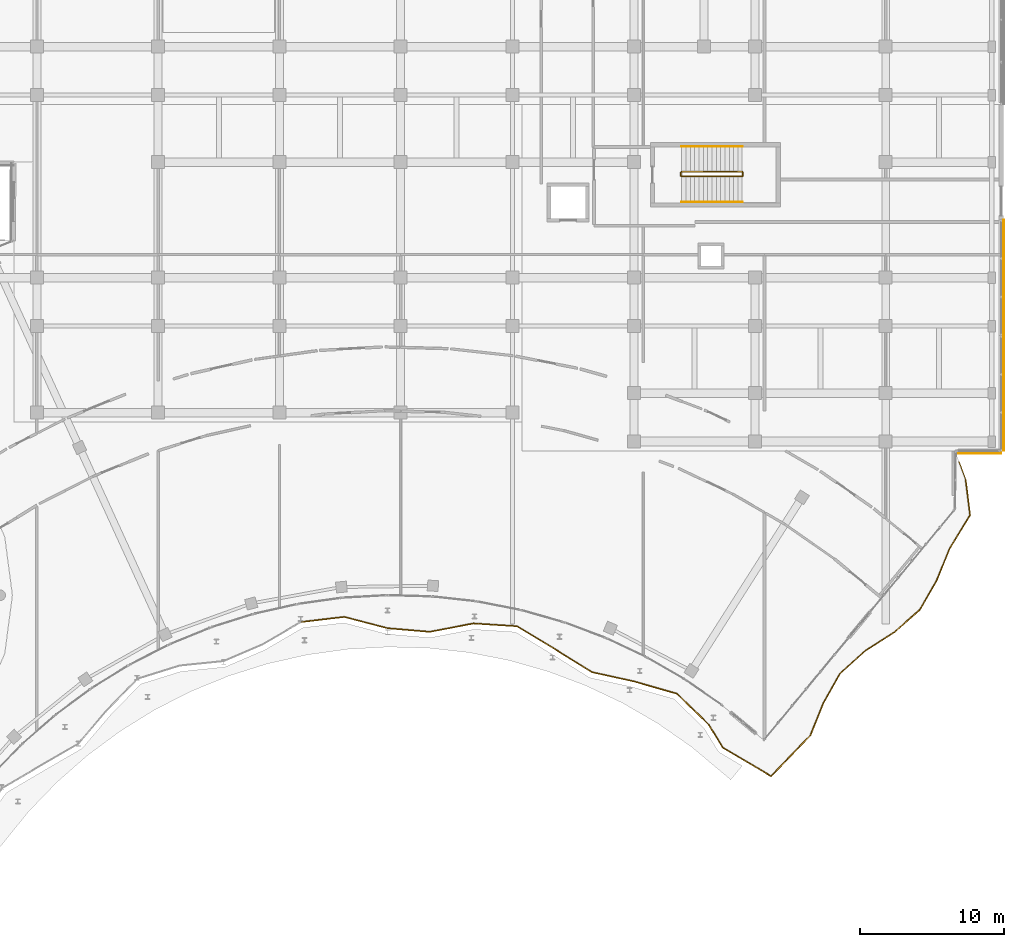
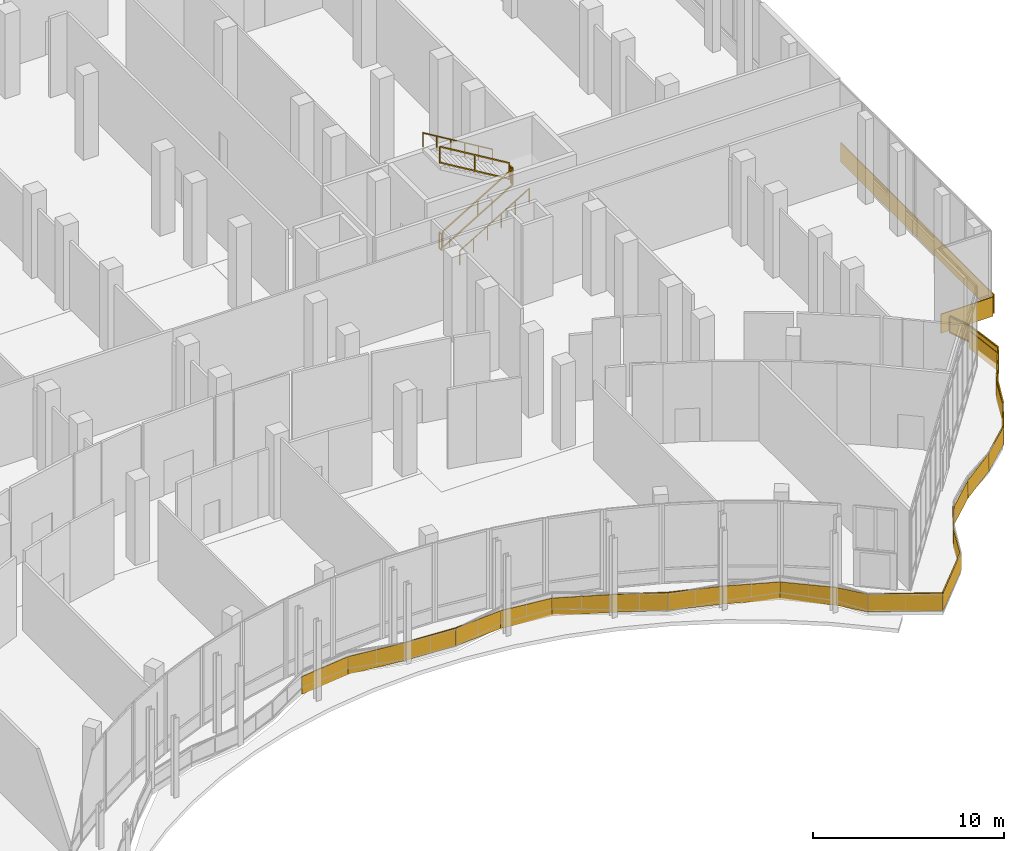
# One storey, part 157 of 158: 25 coverings, 7 railings.
"""IFC4 building model written with IfcOpenShell, lengths in metres."""

from ifc_helpers import new_model, si_unit, direction, frame, origin, origin_2d, place, context, subcontext, project, spatial, polyline, rectangle, circle, outline, extrude, material, layer, layer_set, type_object, element, save


model = new_model("IFC4")

# Units and contexts
model_context = context("Model", 3, precision=1e-05, world=origin(), true_north=direction((0.0, 1.0)))
body_context = subcontext(model_context, "Body", "Model", "MODEL_VIEW")
ifc_project = project(units=[si_unit("LENGTHUNIT", "METRE"), si_unit("AREAUNIT", "SQUARE_METRE"), si_unit("VOLUMEUNIT", "CUBIC_METRE"), si_unit("PLANEANGLEUNIT", "RADIAN"), si_unit("MASSUNIT", "GRAM", prefix="KILO")], contexts=[model_context])

# Site, building, storey
site_placement = place(None, origin())
site = spatial("IfcSite", under=ifc_project, at=site_placement, CompositionType="ELEMENT")
building_placement = place(site_placement, origin())
building = spatial("IfcBuilding", under=site, at=building_placement, Name="Selatvlak General Hospital", CompositionType="ELEMENT")
storey_placement = place(building_placement, origin())
storey = spatial("IfcBuildingStorey", under=building, at=storey_placement, Name="L00", CompositionType="ELEMENT", Elevation=0.0)

# Coverings
ifc_material_1 = material(Name="PVDF aluminium fascia - oxide red", Category="aluminium")
ifc_layer_1 = layer(ifc_material_1, 0.070068359375, Name="PVDF aluminium fascia - oxide red", Category="aluminium")
ifc_layer_set_1 = layer_set([ifc_layer_1], Name="PVDF aluminium fascia - oxide red")
covering_type_1 = type_object("IfcCoveringType", Name="COV-RB-RED", PredefinedType="CLADDING", material=ifc_layer_set_1)
covering_1_placement = place(storey_placement, frame((133.508056640625, 52.14892578125, -0.3701171875), z_axis=(0.0, 0.0, 1.0), x_axis=(0.993153930867, 0.116812968476, 0.0)))
element("IfcCovering", 1, at=covering_1_placement, inside=storey, type_object=covering_type_1, Name="L00 De Stijl waving fascia streamer 061", PredefinedType="CLADDING", context=body_context, shape_type="SweptSolid", body=[
    extrude(outline(polyline([(0.0, 0.0), (3.00537109375, 0.022216796875), (3.00537109375, 1.162109375), (0.0, 1.139892578125), (0.0, 0.0)])), frame((0.0, 0.03515625, 0.0), z_axis=(0.0, -1.0, 0.0), x_axis=(1.0, 0.0, 0.0)), (0.0, 0.0, 1.0), 0.070068359375),
])
covering_2_placement = place(storey_placement, frame((136.493896484375, 52.5, -0.347900390625), z_axis=(0.0, 0.0, 1.0), x_axis=(0.967561338308, -0.252636213974, 0.0)))
element("IfcCovering", 2, at=covering_2_placement, inside=storey, type_object=covering_type_1, Name="L00 De Stijl waving fascia streamer 062", PredefinedType="CLADDING", context=body_context, shape_type="SweptSolid", body=[
    extrude(outline(polyline([(0.0, 0.0), (3.10693359375, 0.31689453125), (3.10693359375, 1.456787109375), (0.0, 1.139892578125), (0.0, 0.0)])), frame((0.0, 0.03515625, 0.0), z_axis=(0.0, -1.0, 0.0), x_axis=(1.0, 0.0, 0.0)), (0.0, 0.0, 1.0), 0.070068359375),
])
covering_3_placement = place(storey_placement, frame((139.5009765625, 51.715087890625, -0.031005859375), z_axis=(0.0, 0.0, 1.0), x_axis=(0.996386576445, -0.084934034874, 0.0)))
element("IfcCovering", 3, at=covering_3_placement, inside=storey, type_object=covering_type_1, Name="L00 De Stijl waving fascia streamer 063", PredefinedType="CLADDING", context=body_context, shape_type="SweptSolid", body=[
    extrude(outline(polyline([(0.0, 0.0), (2.92041015625, 0.055908203125), (2.92041015625, 1.19580078125), (0.0, 1.139892578125), (0.0, 0.0)])), frame((0.0, 0.03515625, 0.0), z_axis=(0.0, -1.0, 0.0), x_axis=(1.0, 0.0, 0.0)), (0.0, 0.0, 1.0), 0.070068359375),
])
covering_4_placement = place(storey_placement, frame((142.4130859375, 51.467041015625, 0.02490234375), z_axis=(0.0, 0.0, 1.0), x_axis=(0.982105086336, 0.188333744701, 0.0)))
element("IfcCovering", 4, at=covering_4_placement, inside=storey, type_object=covering_type_1, Name="L00 De Stijl waving fascia streamer 064", PredefinedType="CLADDING", context=body_context, shape_type="SweptSolid", body=[
    extrude(outline(polyline([(0.0, 0.0), (3.085205078125, -0.303955078125), (3.085205078125, 0.8359375), (0.0, 1.139892578125), (0.0, 0.0)])), frame((0.0, 0.03515625, 0.0), z_axis=(0.0, -1.0, 0.0), x_axis=(1.0, 0.0, 0.0)), (0.0, 0.0, 1.0), 0.070068359375),
])
covering_5_placement = place(storey_placement, frame((145.444091796875, 52.048095703125, -0.279052734375), z_axis=(0.0, 0.0, 1.0), x_axis=(0.997939502412, -0.064161900883, 0.0)))
element("IfcCovering", 5, at=covering_5_placement, inside=storey, type_object=covering_type_1, Name="L00 De Stijl waving fascia streamer 065", PredefinedType="CLADDING", context=body_context, shape_type="SweptSolid", body=[
    extrude(outline(polyline([(0.0, 0.0), (3.025146484375, -0.1298828125), (3.025146484375, 1.010009765625), (0.0, 1.139892578125), (0.0, 0.0)])), frame((0.0, 0.03515625, 0.0), z_axis=(0.0, -1.0, 0.0), x_axis=(1.0, 0.0, 0.0)), (0.0, 0.0, 1.0), 0.070068359375),
])
covering_6_placement = place(storey_placement, frame((148.464111328125, 51.85302734375, -0.408935546875), z_axis=(0.0, 0.0, 1.0), x_axis=(0.855793822718, -0.517317052684, 0.0)))
element("IfcCovering", 6, at=covering_6_placement, inside=storey, type_object=covering_type_1, Name="L00 De Stijl waving fascia streamer 066", PredefinedType="CLADDING", context=body_context, shape_type="SweptSolid", body=[
    extrude(outline(polyline([(0.0, 0.0), (3.08935546875, 0.27197265625), (3.08935546875, 1.411865234375), (0.0, 1.139892578125), (0.0, 0.0)])), frame((0.0, 0.03515625, 0.0), z_axis=(0.0, -1.0, 0.0), x_axis=(1.0, 0.0, 0.0)), (0.0, 0.0, 1.0), 0.070068359375),
])
covering_7_placement = place(storey_placement, frame((151.10888671875, 50.2548828125, -0.136962890625), z_axis=(0.0, 0.0, 1.0), x_axis=(0.848030508634, -0.529947409113, 0.0)))
element("IfcCovering", 7, at=covering_7_placement, inside=storey, type_object=covering_type_1, Name="L00 De Stijl waving fascia streamer 067", PredefinedType="CLADDING", context=body_context, shape_type="SweptSolid", body=[
    extrude(outline(polyline([(0.0, 0.0), (2.981201171875, 0.197021484375), (2.981201171875, 1.3369140625), (0.0, 1.139892578125), (0.0, 0.0)])), frame((0.0, 0.03515625, 0.0), z_axis=(0.0, -1.0, 0.0), x_axis=(1.0, 0.0, 0.0)), (0.0, 0.0, 1.0), 0.070068359375),
])
covering_8_placement = place(storey_placement, frame((153.637939453125, 48.675048828125, 0.06005859375), z_axis=(0.0, 0.0, 1.0), x_axis=(0.976624688109, -0.214951665674, 0.0)))
element("IfcCovering", 8, at=covering_8_placement, inside=storey, type_object=covering_type_1, Name="L00 De Stijl waving fascia streamer 068", PredefinedType="CLADDING", context=body_context, shape_type="SweptSolid", body=[
    extrude(outline(polyline([(0.0, 0.0), (3.00537109375, -0.22509765625), (3.00537109375, 0.914794921875), (0.0, 1.139892578125), (0.0, 0.0)])), frame((0.0, 0.03515625, 0.0), z_axis=(0.0, -1.0, 0.0), x_axis=(1.0, 0.0, 0.0)), (0.0, 0.0, 1.0), 0.070068359375),
])
covering_9_placement = place(storey_placement, frame((156.574951171875, 48.028076171875, -0.1650390625), z_axis=(0.0, 0.0, 1.0), x_axis=(0.961338275984, -0.275370149305, 0.0)))
element("IfcCovering", 9, at=covering_9_placement, inside=storey, type_object=covering_type_1, Name="L00 De Stijl waving fascia streamer 069", PredefinedType="CLADDING", context=body_context, shape_type="SweptSolid", body=[
    extrude(outline(polyline([(0.0, 0.0), (3.080078125, -0.2509765625), (3.080078125, 0.888916015625), (0.0, 1.139892578125), (0.0, 0.0)])), frame((0.0, 0.03515625, 0.0), z_axis=(0.0, -1.0, 0.0), x_axis=(1.0, 0.0, 0.0)), (0.0, 0.0, 1.0), 0.070068359375),
])
covering_10_placement = place(storey_placement, frame((159.537109375, 47.178955078125, -0.416015625), z_axis=(0.0, 0.0, 1.0), x_axis=(0.718457644015, -0.695570710824, 0.0)))
element("IfcCovering", 10, at=covering_10_placement, inside=storey, type_object=covering_type_1, Name="L00 De Stijl waving fascia streamer 070", PredefinedType="CLADDING", context=body_context, shape_type="SweptSolid", body=[
    extrude(outline(polyline([(0.0, 0.0), (3.05078125, 0.1630859375), (3.05078125, 1.302978515625), (0.0, 1.139892578125), (0.0, 0.0)])), frame((0.0, 0.03515625, 0.0), z_axis=(0.0, -1.0, 0.0), x_axis=(1.0, 0.0, 0.0)), (0.0, 0.0, 1.0), 0.070068359375),
])
covering_11_placement = place(storey_placement, frame((161.72900390625, 45.056884765625, -0.2529296875), z_axis=(0.0, 0.0, 1.0), x_axis=(0.521497352411, -0.853252900041, 0.0)))
element("IfcCovering", 11, at=covering_11_placement, inside=storey, type_object=covering_type_1, Name="L00 De Stijl waving fascia streamer 071", PredefinedType="CLADDING", context=body_context, shape_type="SweptSolid", body=[
    extrude(outline(polyline([(0.0, 0.0), (1.877197265625, 0.200927734375), (1.877197265625, 1.3408203125), (0.0, 1.139892578125), (0.0, 0.0)])), frame((0.0, 0.03515625, 0.0), z_axis=(0.0, -1.0, 0.0), x_axis=(1.0, 0.0, 0.0)), (0.0, 0.0, 1.0), 0.070068359375),
])
covering_12_placement = place(storey_placement, frame((162.701904296875, 43.4560546875, -0.052001953125), z_axis=(0.0, 0.0, 1.0), x_axis=(0.860283422579, -0.509816077459, 0.0)))
element("IfcCovering", 12, at=covering_12_placement, inside=storey, type_object=covering_type_1, Name="L00 De Stijl waving fascia streamer 072", PredefinedType="CLADDING", context=body_context, shape_type="SweptSolid", body=[
    extrude(outline(polyline([(0.0, 0.0), (3.911376953125, 0.110107421875), (3.911376953125, 1.25), (0.0, 1.139892578125), (0.0, 0.0)])), frame((0.0, 0.03515625, 0.0), z_axis=(0.0, -1.0, 0.0), x_axis=(1.0, 0.0, 0.0)), (0.0, 0.0, 1.0), 0.070068359375),
])
covering_13_placement = place(storey_placement, frame((166.056884765625, 41.4609375, 0.05810546875), z_axis=(0.0, 0.0, 1.0), x_axis=(0.692999521626, 0.72093804382, 0.0)))
element("IfcCovering", 13, at=covering_13_placement, inside=storey, type_object=covering_type_1, Name="L00 De Stijl waving fascia streamer 073", PredefinedType="CLADDING", context=body_context, shape_type="SweptSolid", body=[
    extrude(outline(polyline([(0.0, 0.0), (3.932373046875, -0.09521484375), (3.932373046875, 1.044677734375), (0.0, 1.139892578125), (0.0, 0.0)])), frame((0.0, 0.03515625, 0.0), z_axis=(0.0, -1.0, 0.0), x_axis=(1.0, 0.0, 0.0)), (0.0, 0.0, 1.0), 0.070068359375),
])
covering_14_placement = place(storey_placement, frame((168.777099609375, 44.2939453125, -0.037109375), z_axis=(0.0, 0.0, 1.0), x_axis=(0.374362970052, 0.927282247567, 0.0)))
element("IfcCovering", 14, at=covering_14_placement, inside=storey, type_object=covering_type_1, Name="L00 De Stijl waving fascia streamer 074", PredefinedType="CLADDING", context=body_context, shape_type="SweptSolid", body=[
    extrude(outline(polyline([(0.0, 0.0), (2.420166015625, -0.243896484375), (2.420166015625, 0.89599609375), (0.0, 1.139892578125), (0.0, 0.0)])), frame((0.0, 0.03515625, 0.0), z_axis=(0.0, -1.0, 0.0), x_axis=(1.0, 0.0, 0.0)), (0.0, 0.0, 1.0), 0.070068359375),
])
covering_15_placement = place(storey_placement, frame((169.68310546875, 46.5380859375, -0.281005859375), z_axis=(0.0, 0.0, 1.0), x_axis=(0.491171202439, 0.871063057359, 0.0)))
element("IfcCovering", 15, at=covering_15_placement, inside=storey, type_object=covering_type_1, Name="L00 De Stijl waving fascia streamer 075", PredefinedType="CLADDING", context=body_context, shape_type="SweptSolid", body=[
    extrude(outline(polyline([(0.0, 0.0), (2.343017578125, -0.138916015625), (2.343017578125, 1.0009765625), (0.0, 1.139892578125), (0.0, 0.0)])), frame((0.0, 0.03515625, 0.0), z_axis=(0.0, -1.0, 0.0), x_axis=(1.0, 0.0, 0.0)), (0.0, 0.0, 1.0), 0.070068359375),
])
covering_16_placement = place(storey_placement, frame((170.833984375, 48.5791015625, -0.419921875), z_axis=(0.0, 0.0, 1.0), x_axis=(0.742220281422, 0.670155992173, 0.0)))
element("IfcCovering", 16, at=covering_16_placement, inside=storey, type_object=covering_type_1, Name="L00 De Stijl waving fascia streamer 076", PredefinedType="CLADDING", context=body_context, shape_type="SweptSolid", body=[
    extrude(outline(polyline([(0.0, 0.0), (2.330810546875, 0.11181640625), (2.330810546875, 1.251708984375), (0.0, 1.139892578125), (0.0, 0.0)])), frame((0.0, 0.03515625, 0.0), z_axis=(0.0, -1.0, 0.0), x_axis=(1.0, 0.0, 0.0)), (0.0, 0.0, 1.0), 0.070068359375),
])
covering_17_placement = place(storey_placement, frame((172.56396484375, 50.14111328125, -0.30810546875), z_axis=(0.0, 0.0, 1.0), x_axis=(0.841682837244, 0.539972222887, 0.0)))
element("IfcCovering", 17, at=covering_17_placement, inside=storey, type_object=covering_type_1, Name="L00 De Stijl waving fascia streamer 077", PredefinedType="CLADDING", context=body_context, shape_type="SweptSolid", body=[
    extrude(outline(polyline([(0.0, 0.0), (2.420166015625, 0.24609375), (2.420166015625, 1.385986328125), (0.0, 1.139892578125), (0.0, 0.0)])), frame((0.0, 0.03515625, 0.0), z_axis=(0.0, -1.0, 0.0), x_axis=(1.0, 0.0, 0.0)), (0.0, 0.0, 1.0), 0.070068359375),
])
covering_18_placement = place(storey_placement, frame((174.60107421875, 51.447998046875, -0.06201171875), z_axis=(0.0, 0.0, 1.0), x_axis=(0.751020365123, 0.660279040384, 0.0)))
element("IfcCovering", 18, at=covering_18_placement, inside=storey, type_object=covering_type_1, Name="L00 De Stijl waving fascia streamer 078", PredefinedType="CLADDING", context=body_context, shape_type="SweptSolid", body=[
    extrude(outline(polyline([(0.0, 0.0), (2.33544921875, 0.1220703125), (2.33544921875, 1.261962890625), (0.0, 1.139892578125), (0.0, 0.0)])), frame((0.0, 0.03515625, 0.0), z_axis=(0.0, -1.0, 0.0), x_axis=(1.0, 0.0, 0.0)), (0.0, 0.0, 1.0), 0.070068359375),
])
covering_19_placement = place(storey_placement, frame((176.35498046875, 52.989990234375, 0.06005859375), z_axis=(0.0, 0.0, 1.0), x_axis=(0.501649341297, 0.865071059727, 0.0)))
element("IfcCovering", 19, at=covering_19_placement, inside=storey, type_object=covering_type_1, Name="L00 De Stijl waving fascia streamer 079", PredefinedType="CLADDING", context=body_context, shape_type="SweptSolid", body=[
    extrude(outline(polyline([(0.0, 0.0), (2.33837890625, -0.129150390625), (2.33837890625, 1.0107421875), (0.0, 1.139892578125), (0.0, 0.0)])), frame((0.0, 0.03515625, 0.0), z_axis=(0.0, -1.0, 0.0), x_axis=(1.0, 0.0, 0.0)), (0.0, 0.0, 1.0), 0.070068359375),
])
covering_20_placement = place(storey_placement, frame((177.528076171875, 55.012939453125, -0.069091796875), z_axis=(0.0, 0.0, 1.0), x_axis=(0.373875985056, 0.927478704768, 0.0)))
element("IfcCovering", 20, at=covering_20_placement, inside=storey, type_object=covering_type_1, Name="L00 De Stijl waving fascia streamer 080", PredefinedType="CLADDING", context=body_context, shape_type="SweptSolid", body=[
    extrude(outline(polyline([(0.0, 0.0), (2.420654296875, -0.244873046875), (2.420654296875, 0.89501953125), (0.0, 1.139892578125), (0.0, 0.0)])), frame((0.0, 0.03515625, 0.0), z_axis=(0.0, -1.0, 0.0), x_axis=(1.0, 0.0, 0.0)), (0.0, 0.0, 1.0), 0.070068359375),
])
covering_21_placement = place(storey_placement, frame((178.431884765625, 57.2548828125, -0.31396484375), z_axis=(0.0, 0.0, 1.0), x_axis=(0.524704665157, 0.851284332267, 0.0)))
element("IfcCovering", 21, at=covering_21_placement, inside=storey, type_object=covering_type_1, Name="L00 De Stijl waving fascia streamer 081", PredefinedType="CLADDING", context=body_context, shape_type="SweptSolid", body=[
    extrude(outline(polyline([(0.0, 0.0), (2.691162109375, -0.10498046875), (2.691162109375, 1.034912109375), (0.0, 1.139892578125), (0.0, 0.0)])), frame((0.0, 0.03515625, 0.0), z_axis=(0.0, -1.0, 0.0), x_axis=(1.0, 0.0, 0.0)), (0.0, 0.0, 1.0), 0.070068359375),
])
covering_22_placement = place(storey_placement, frame((179.843017578125, 59.5419921875, -0.4189453125), z_axis=(0.0, 0.0, 1.0), x_axis=(-0.1230794927, 0.992396815028, 0.0)))
element("IfcCovering", 22, at=covering_22_placement, inside=storey, type_object=covering_type_1, Name="L00 De Stijl waving fascia streamer 082", PredefinedType="CLADDING", context=body_context, shape_type="SweptSolid", body=[
    extrude(outline(polyline([(0.0, 0.0), (2.45361328125, 0.058837890625), (2.45361328125, 1.19873046875), (0.0, 1.139892578125), (0.0, 0.0)])), frame((0.0, 0.03515625, 0.0), z_axis=(0.0, -1.0, 0.0), x_axis=(1.0, 0.0, 0.0)), (0.0, 0.0, 1.0), 0.070068359375),
])
ifc_material_2 = material(Name="White Bauhaus fair-faced cladding panel")
ifc_layer_2 = layer(ifc_material_2, 0.054931640625, Name="White Bauhaus fair-faced cladding panel")
ifc_layer_set_2 = layer_set([ifc_layer_2], Name="White Bauhaus fair-faced cladding panel")
covering_type_2 = type_object("IfcCoveringType", Name="COV-WHT1", PredefinedType="CLADDING", material=ifc_layer_set_2)
for number, where, z_axis, x_axis, name in (
    (23, (182.1650390625, 76.0009765625, -0.27978515625), (0.0, 0.0, 1.0), (0.0, -1.0, 0.0), "L00 Bauhaus horizontal white spandrel band 0018"),
    (24, (182.1650390625, 68.0009765625, -0.27978515625), (0.0, 0.0, 1.0), (0.0, -1.0, 0.0), "L00 Bauhaus horizontal white spandrel band 0019"),
):
    element("IfcCovering", number, at=place(storey_placement, frame(where, z_axis=z_axis, x_axis=x_axis)), inside=storey, type_object=covering_type_2, Name=name, PredefinedType="CLADDING", context=body_context, shape_type="SweptSolid", body=[
        extrude(rectangle(XDim=8.0, YDim=0.054931640625, at=origin_2d()), origin(), (0.0, 0.0, 1.0), 1.219970703125),
    ])
covering_23_placement = place(storey_placement, frame((180.429931640625, 63.8359375, -0.27978515625), z_axis=(0.0, 0.0, 1.0), x_axis=(-0.999999950652, -0.00031415926, 0.0)))
element("IfcCovering", 25, at=covering_23_placement, inside=storey, type_object=covering_type_2, Name="L00 Bauhaus horizontal white spandrel band 0020", PredefinedType="CLADDING", context=body_context, shape_type="SweptSolid", body=[
    extrude(rectangle(XDim=3.139892578125, YDim=0.054931640625, at=origin_2d()), origin(), (0.0, 0.0, 1.0), 1.219970703125),
])

# Railings
ifc_material_3 = material(Name="Stainless steel 316 safety balustrade", Category="steel")
railing_type_1 = type_object("IfcRailingType", Name="RAIL-BAL1", PredefinedType="BALUSTRADE", material=ifc_material_3)
railing_1_placement = place(storey_placement, frame((179.080078125, 63.2490234375, 0.0)))
element("IfcRailing", 26, at=railing_1_placement, inside=storey, type_object=railing_type_1, Name="L00 continuous curved balcony balustrade 0002", PredefinedType="BALUSTRADE", context=body_context, shape_type="SweptSolid", body=[
    extrude(rectangle(XDim=0.068115234375, YDim=0.068115234375, at=origin_2d()), frame((0.0009765625, -0.002685546875, 1.0859375), z_axis=(0.349037955492, -0.937108587959, 0.0), x_axis=(0.937108587959, 0.349037955492, 0.0)), (0.0, 0.0, 1.0), 1.3544921875),
    extrude(rectangle(XDim=0.068115234375, YDim=0.068115234375, at=origin_2d()), frame((0.0009765625, -0.002685546875, 0.049072265625), z_axis=(0.349037955492, -0.937108587959, 0.0), x_axis=(0.937108587959, 0.349037955492, 0.0)), (0.0, 0.0, 1.0), 1.3544921875),
    extrude(outline(polyline([(0.0, 0.0), (1.348388671875, 0.0), (1.348388671875, 0.94189453125), (0.0, 0.94189453125), (0.0, 0.0)])), frame((0.01904296875, 0.000732421875, 0.0849609375), z_axis=(-0.937108587959, -0.349037955492, 0.0), x_axis=(0.349037955492, -0.937108587959, 0.0)), (0.0, 0.0, 1.0), 0.031982421875),
    extrude(rectangle(XDim=0.068115234375, YDim=0.068115234375, at=origin_2d()), frame((0.47509765625, -1.27783203125, 1.0859375), z_axis=(0.1230794927, -0.992396815028, 0.0), x_axis=(0.992396815028, 0.1230794927, 0.0)), (0.0, 0.0, 1.0), 2.44775390625),
    extrude(rectangle(XDim=0.068115234375, YDim=0.068115234375, at=origin_2d()), frame((0.47509765625, -1.27783203125, 0.049072265625), z_axis=(0.1230794927, -0.992396815028, 0.0), x_axis=(0.992396815028, 0.1230794927, 0.0)), (0.0, 0.0, 1.0), 2.44775390625),
    extrude(outline(polyline([(0.0, 0.0), (2.441650390625, 0.0), (2.441650390625, 0.94189453125), (0.0, 0.94189453125), (0.0, 0.0)])), frame((0.493408203125, -1.278564453125, 0.0849609375), z_axis=(-0.992396815028, -0.1230794927, 0.0), x_axis=(0.1230794927, -0.992396815028, 0.0)), (0.0, 0.0, 1.0), 0.031982421875),
    extrude(rectangle(XDim=0.068115234375, YDim=0.068115234375, at=origin_2d()), frame((0.775390625, -3.71240234375, 1.0859375), z_axis=(-0.524638919521, -0.851324852288, 0.0), x_axis=(0.851324852288, -0.524638919521, 0.0)), (0.0, 0.0, 1.0), 2.685302734375),
    extrude(rectangle(XDim=0.068115234375, YDim=0.068115234375, at=origin_2d()), frame((0.775390625, -3.71240234375, 0.049072265625), z_axis=(-0.524638919521, -0.851324852288, 0.0), x_axis=(0.851324852288, -0.524638919521, 0.0)), (0.0, 0.0, 1.0), 2.685302734375),
    extrude(outline(polyline([(0.0, 0.0), (2.67919921875, 0.0), (2.67919921875, 0.94189453125), (0.0, 0.94189453125), (0.0, 0.0)])), frame((0.7890625, -3.724609375, 0.0849609375), z_axis=(-0.851324852288, 0.524638919521, 0.0), x_axis=(-0.524638919521, -0.851324852288, 0.0)), (0.0, 0.0, 1.0), 0.031982421875),
    extrude(rectangle(XDim=0.068115234375, YDim=0.068115234375, at=origin_2d()), frame((-0.635986328125, -6.003662109375, 1.0859375), z_axis=(-0.373875985056, -0.927478704768, 0.0), x_axis=(0.927478704768, -0.373875985056, 0.0)), (0.0, 0.0, 1.0), 2.414794921875),
    extrude(rectangle(XDim=0.068115234375, YDim=0.068115234375, at=origin_2d()), frame((-0.635986328125, -6.003662109375, 0.049072265625), z_axis=(-0.373875985056, -0.927478704768, 0.0), x_axis=(0.927478704768, -0.373875985056, 0.0)), (0.0, 0.0, 1.0), 2.414794921875),
    extrude(outline(polyline([(0.0, 0.0), (2.40869140625, 0.0), (2.40869140625, 0.94189453125), (0.0, 0.94189453125), (0.0, 0.0)])), frame((-0.62060546875, -6.01318359375, 0.0849609375), z_axis=(-0.927478704768, 0.373875985056, 0.0), x_axis=(-0.373875985056, -0.927478704768, 0.0)), (0.0, 0.0, 1.0), 0.031982421875),
    extrude(rectangle(XDim=0.055908203125, YDim=0.055908203125, at=origin_2d()), origin(), (0.0, 0.0, 1.0), 1.049072265625),
    extrude(rectangle(XDim=0.055908203125, YDim=0.055908203125, at=origin_2d()), frame((0.474853515625, -1.27490234375, 0.0)), (0.0, 0.0, 1.0), 1.049072265625),
    extrude(rectangle(XDim=0.055908203125, YDim=0.055908203125, at=origin_2d()), frame((0.6259765625, -2.492431640625, 0.0)), (0.0, 0.0, 1.0), 1.049072265625),
    extrude(rectangle(XDim=0.055908203125, YDim=0.055908203125, at=origin_2d()), frame((0.77685546875, -3.7099609375, 0.0)), (0.0, 0.0, 1.0), 1.049072265625),
    extrude(rectangle(XDim=0.055908203125, YDim=0.055908203125, at=origin_2d()), frame((0.07080078125, -4.85546875, 0.0)), (0.0, 0.0, 1.0), 1.049072265625),
    extrude(rectangle(XDim=0.055908203125, YDim=0.055908203125, at=origin_2d()), frame((-0.635009765625, -6.0009765625, 0.0)), (0.0, 0.0, 1.0), 1.049072265625),
    extrude(rectangle(XDim=0.055908203125, YDim=0.055908203125, at=origin_2d()), frame((-1.08740234375, -7.12353515625, 0.0)), (0.0, 0.0, 1.0), 1.049072265625),
    extrude(rectangle(XDim=0.055908203125, YDim=0.055908203125, at=origin_2d()), frame((-1.5400390625, -8.24609375, 0.0)), (0.0, 0.0, 1.0), 1.049072265625),
])
ifc_material_4 = material(Name="Stainless steel 316 stair guard", Category="steel")
railing_type_2 = type_object("IfcRailingType", Name="RAIL-STG", PredefinedType="GUARDRAIL", material=ifc_material_4)
railing_2_placement = place(storey_placement, frame((159.860107421875, 83.010009765625, 0.179931640625)))
element("IfcRailing", 27, at=railing_2_placement, inside=storey, type_object=railing_type_2, Name="L00 ST-06 stair guard 1", PredefinedType="GUARDRAIL", context=body_context, shape_type="SweptSolid", body=[
    extrude(rectangle(XDim=0.068115234375, YDim=0.068115234375, at=origin_2d()), frame((0.00244140625, 0.0, 1.067626953125), z_axis=(0.857488527567, 0.0, 0.514503085598), x_axis=(0.0, 1.0, 0.0)), (0.0, 0.0, 1.0), 4.89208984375),
    extrude(rectangle(XDim=0.068115234375, YDim=0.068115234375, at=origin_2d()), frame((0.00244140625, 0.0, 0.050537109375), z_axis=(0.857488527567, 0.0, 0.514503085598), x_axis=(0.0, 1.0, 0.0)), (0.0, 0.0, 1.0), 4.89208984375),
    extrude(rectangle(XDim=0.055908203125, YDim=0.055908203125, at=origin_2d()), origin(), (0.0, 0.0, 1.0), 1.029052734375),
    extrude(rectangle(XDim=0.055908203125, YDim=0.055908203125, at=origin_2d()), frame((2.10009765625, 0.0, 1.260009765625)), (0.0, 0.0, 1.0), 1.029052734375),
    extrude(rectangle(XDim=0.055908203125, YDim=0.055908203125, at=origin_2d()), frame((4.199951171875, 0.0, 2.52001953125)), (0.0, 0.0, 1.0), 1.029052734375),
])
railing_3_placement = place(storey_placement, frame((164.110107421875, 83.06005859375, 2.699951171875)))
element("IfcRailing", 28, at=railing_3_placement, inside=storey, type_object=railing_type_2, Name="L00 ST-06 stair guard 2", PredefinedType="GUARDRAIL", context=body_context, shape_type="SweptSolid", body=[
    extrude(rectangle(XDim=0.068115234375, YDim=0.068115234375, at=origin_2d()), frame((0.0, 0.0029296875, 1.06591796875), z_axis=(0.0, 1.0, 0.0), x_axis=(-1.0, 0.0, 0.0)), (0.0, 0.0, 1.0), 0.214111328125),
    extrude(rectangle(XDim=0.068115234375, YDim=0.068115234375, at=origin_2d()), frame((0.0, 0.0029296875, 0.049072265625), z_axis=(0.0, 1.0, 0.0), x_axis=(-1.0, 0.0, 0.0)), (0.0, 0.0, 1.0), 0.214111328125),
    extrude(rectangle(XDim=0.055908203125, YDim=0.055908203125, at=origin_2d()), origin(), (0.0, 0.0, 1.0), 1.029052734375),
    extrude(rectangle(XDim=0.055908203125, YDim=0.055908203125, at=origin_2d()), frame((0.0, 0.219970703125, 0.0)), (0.0, 0.0, 1.0), 1.029052734375),
])
railing_4_placement = place(storey_placement, frame((164.06005859375, 83.330078125, 2.8798828125)))
element("IfcRailing", 29, at=railing_4_placement, inside=storey, type_object=railing_type_2, Name="L00 ST-06 stair guard 3", PredefinedType="GUARDRAIL", context=body_context, shape_type="SweptSolid", body=[
    extrude(rectangle(XDim=0.068115234375, YDim=0.068115234375, at=origin_2d()), frame((-0.00244140625, 0.0, 1.067626953125), z_axis=(-0.857488527567, 0.0, 0.514503085598), x_axis=(0.0, -1.0, 0.0)), (0.0, 0.0, 1.0), 4.89208984375),
    extrude(rectangle(XDim=0.068115234375, YDim=0.068115234375, at=origin_2d()), frame((-0.00244140625, 0.0, 0.050537109375), z_axis=(-0.857488527567, 0.0, 0.514503085598), x_axis=(0.0, -1.0, 0.0)), (0.0, 0.0, 1.0), 4.89208984375),
    extrude(rectangle(XDim=0.055908203125, YDim=0.055908203125, at=origin_2d()), origin(), (0.0, 0.0, 1.0), 1.029052734375),
    extrude(rectangle(XDim=0.055908203125, YDim=0.055908203125, at=origin_2d()), frame((-2.10009765625, 0.0, 1.260009765625)), (0.0, 0.0, 1.0), 1.029052734375),
    extrude(rectangle(XDim=0.055908203125, YDim=0.055908203125, at=origin_2d()), frame((-4.199951171875, 0.0, 2.52001953125)), (0.0, 0.0, 1.0), 1.029052734375),
])
railing_5_placement = place(storey_placement, frame((159.81005859375, 83.06005859375, 0.0)))
element("IfcRailing", 30, at=railing_5_placement, inside=storey, type_object=railing_type_2, Name="L00 ST-06 stair guard 4", PredefinedType="GUARDRAIL", context=body_context, shape_type="SweptSolid", body=[
    extrude(rectangle(XDim=0.068115234375, YDim=0.068115234375, at=origin_2d()), frame((0.0, 0.0029296875, 1.06591796875), z_axis=(0.0, 1.0, 0.0), x_axis=(-1.0, 0.0, 0.0)), (0.0, 0.0, 1.0), 0.214111328125),
    extrude(rectangle(XDim=0.068115234375, YDim=0.068115234375, at=origin_2d()), frame((0.0, 0.0029296875, 0.049072265625), z_axis=(0.0, 1.0, 0.0), x_axis=(-1.0, 0.0, 0.0)), (0.0, 0.0, 1.0), 0.214111328125),
    extrude(rectangle(XDim=0.055908203125, YDim=0.055908203125, at=origin_2d()), origin(), (0.0, 0.0, 1.0), 1.029052734375),
    extrude(rectangle(XDim=0.055908203125, YDim=0.055908203125, at=origin_2d()), frame((0.0, 0.219970703125, 0.0)), (0.0, 0.0, 1.0), 1.029052734375),
])
ifc_material_5 = material(Name="Stainless steel 316 handrail", Category="steel")
railing_type_3 = type_object("IfcRailingType", Name="RAIL-STH", PredefinedType="HANDRAIL", material=ifc_material_5)
railing_6_placement = place(storey_placement, frame((159.860107421875, 81.25, 0.179931640625)))
element("IfcRailing", 31, at=railing_6_placement, inside=storey, type_object=railing_type_3, Name="L00 ST-06 stair handrail 1", PredefinedType="HANDRAIL", context=body_context, shape_type="SweptSolid", body=[
    extrude(circle(Radius=0.02392578125, at=origin_2d()), frame((0.00244140625, 0.0, 0.87744140625), z_axis=(0.857488527567, 0.0, 0.514503085598), x_axis=(0.0, 1.0, 0.0)), (0.0, 0.0, 1.0), 4.89208984375),
    extrude(circle(Radius=0.02099609375, at=origin_2d()), origin(), (0.0, 0.0, 1.0), 0.848876953125),
    extrude(circle(Radius=0.02099609375, at=origin_2d()), frame((0.840087890625, 0.0, 0.50390625)), (0.0, 0.0, 1.0), 0.848876953125),
    extrude(circle(Radius=0.02099609375, at=origin_2d()), frame((1.679931640625, 0.0, 1.008056640625)), (0.0, 0.0, 1.0), 0.848876953125),
    extrude(circle(Radius=0.02099609375, at=origin_2d()), frame((2.52001953125, 0.0, 1.511962890625)), (0.0, 0.0, 1.0), 0.848876953125),
    extrude(circle(Radius=0.02099609375, at=origin_2d()), frame((3.35986328125, 0.0, 2.01611328125)), (0.0, 0.0, 1.0), 0.848876953125),
    extrude(circle(Radius=0.02099609375, at=origin_2d()), frame((4.199951171875, 0.0, 2.52001953125)), (0.0, 0.0, 1.0), 0.848876953125),
])
railing_7_placement = place(storey_placement, frame((164.06005859375, 85.090087890625, 2.8798828125)))
element("IfcRailing", 32, at=railing_7_placement, inside=storey, type_object=railing_type_3, Name="L00 ST-06 stair handrail 2", PredefinedType="HANDRAIL", context=body_context, shape_type="SweptSolid", body=[
    extrude(circle(Radius=0.02392578125, at=origin_2d()), frame((-0.00244140625, 0.0, 0.87744140625), z_axis=(-0.857488527567, 0.0, 0.514503085598), x_axis=(0.0, -1.0, 0.0)), (0.0, 0.0, 1.0), 4.89208984375),
    extrude(circle(Radius=0.02099609375, at=origin_2d()), origin(), (0.0, 0.0, 1.0), 0.848876953125),
    extrude(circle(Radius=0.02099609375, at=origin_2d()), frame((-0.840087890625, 0.0, 0.50390625)), (0.0, 0.0, 1.0), 0.848876953125),
    extrude(circle(Radius=0.02099609375, at=origin_2d()), frame((-1.679931640625, 0.0, 1.008056640625)), (0.0, 0.0, 1.0), 0.848876953125),
    extrude(circle(Radius=0.02099609375, at=origin_2d()), frame((-2.52001953125, 0.0, 1.511962890625)), (0.0, 0.0, 1.0), 0.848876953125),
    extrude(circle(Radius=0.02099609375, at=origin_2d()), frame((-3.35986328125, 0.0, 2.01611328125)), (0.0, 0.0, 1.0), 0.848876953125),
    extrude(circle(Radius=0.02099609375, at=origin_2d()), frame((-4.199951171875, 0.0, 2.52001953125)), (0.0, 0.0, 1.0), 0.848876953125),
])

save(model, "model.ifc")
